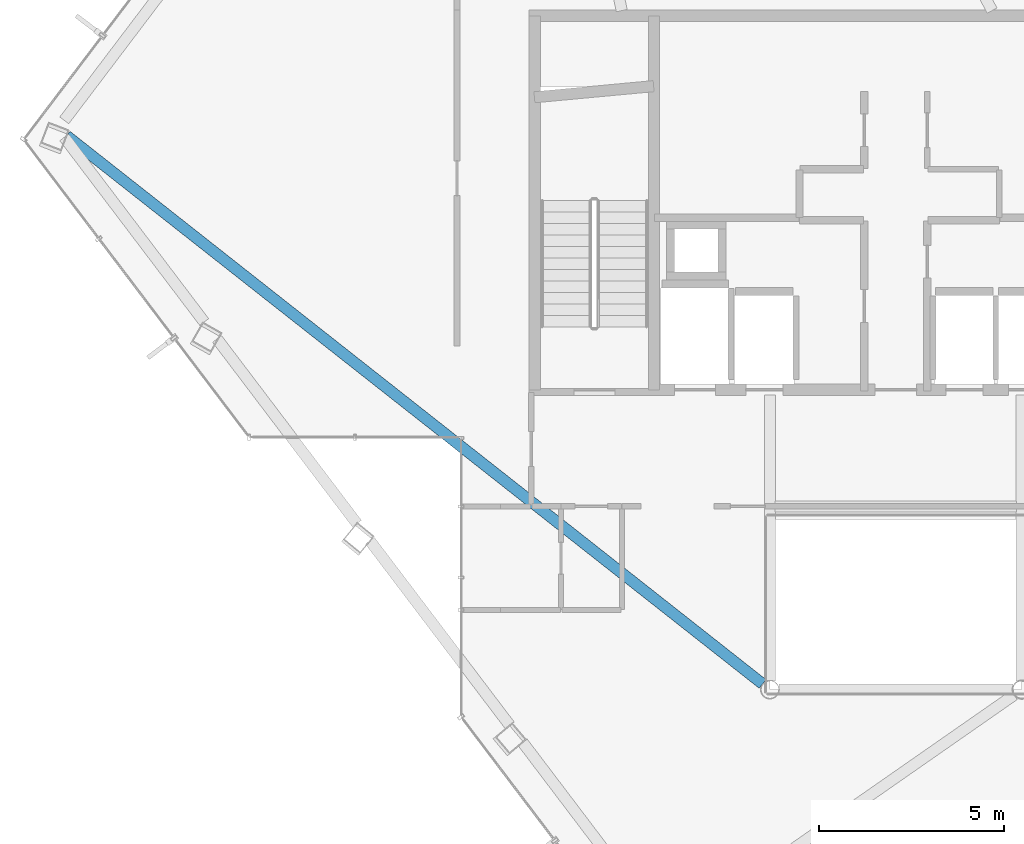
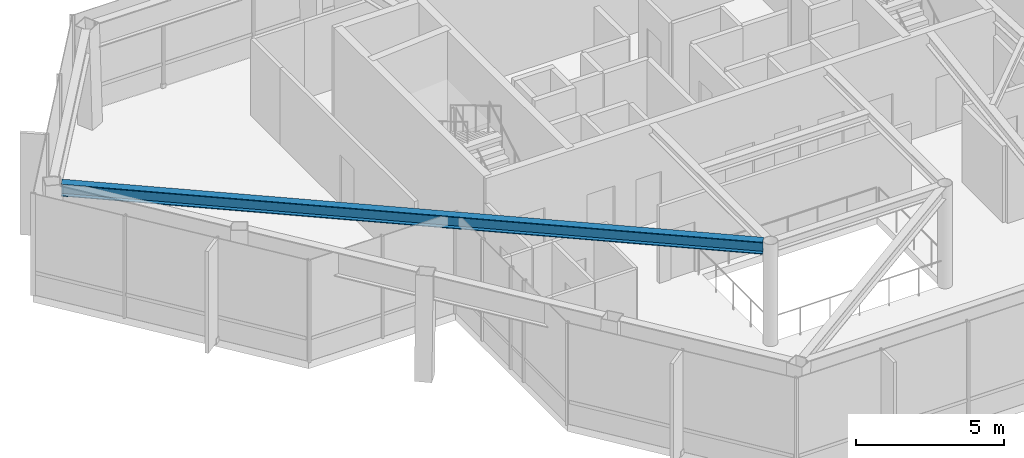
# One storey, part 4 of 22: 1 beam.
"""IFC4 building model written with IfcOpenShell, lengths in metres."""

from ifc_helpers import new_model, si_unit, direction, frame, origin, origin_2d, place, context, subcontext, project, spatial, i_section, extrude, material, material_profile, profile_set, type_object, element, save


model = new_model("IFC4")

# Units and contexts
model_context = context("Model", 3, precision=1e-05, world=origin(), true_north=direction((0.0, 1.0)))
body_context = subcontext(model_context, "Body", "Model", "MODEL_VIEW")
ifc_project = project(units=[si_unit("LENGTHUNIT", "METRE"), si_unit("AREAUNIT", "SQUARE_METRE"), si_unit("VOLUMEUNIT", "CUBIC_METRE"), si_unit("PLANEANGLEUNIT", "RADIAN"), si_unit("MASSUNIT", "GRAM", prefix="KILO")], contexts=[model_context])

# Site, building, storey
site_placement = place(None, origin())
site = spatial("IfcSite", under=ifc_project, at=site_placement, CompositionType="ELEMENT")
building_placement = place(site_placement, origin())
building = spatial("IfcBuilding", under=site, at=building_placement, Name="Zarrinselat Tower", CompositionType="ELEMENT")
storey_placement = place(building_placement, frame((0.0, 0.0, 204.340087890625)))
storey = spatial("IfcBuildingStorey", under=building, at=storey_placement, Name="L50", CompositionType="ELEMENT", Elevation=204.340087890625)

# Beam
ifc_material = material(Name="Steel S355J2", Category="steel")
ifc_material_profile = material_profile(ifc_material, i_section(OverallWidth=0.300048828125, OverallDepth=0.5, WebThickness=0.014404296875, FlangeThickness=0.028076171875, at=origin_2d()), Name="HEB 500")
ifc_profile_set = profile_set([ifc_material_profile], Name="Steel S355J2")
beam_type = type_object("IfcBeamType", Name="BM-HEB500", PredefinedType="BEAM", material=ifc_profile_set)
beam_placement = place(storey_placement, frame((16.00634765625, 40.16015625, 3.949951171875), z_axis=(0.785585602039, -0.618752989382, 0.0), x_axis=(0.618752989382, 0.785585602039, 0.0)))
element("IfcBeam", 1, at=beam_placement, inside=storey, type_object=beam_type, Name="L50 Radial Primary Girder RG06", PredefinedType="BEAM", context=body_context, shape_type="SweptSolid", body=[
    extrude(i_section(OverallWidth=0.300048828125, OverallDepth=0.5, WebThickness=0.014404296875, FlangeThickness=0.028076171875, at=origin_2d()), origin(), (0.0, 0.0, 1.0), 23.927734375),
])

save(model, "model.ifc")
